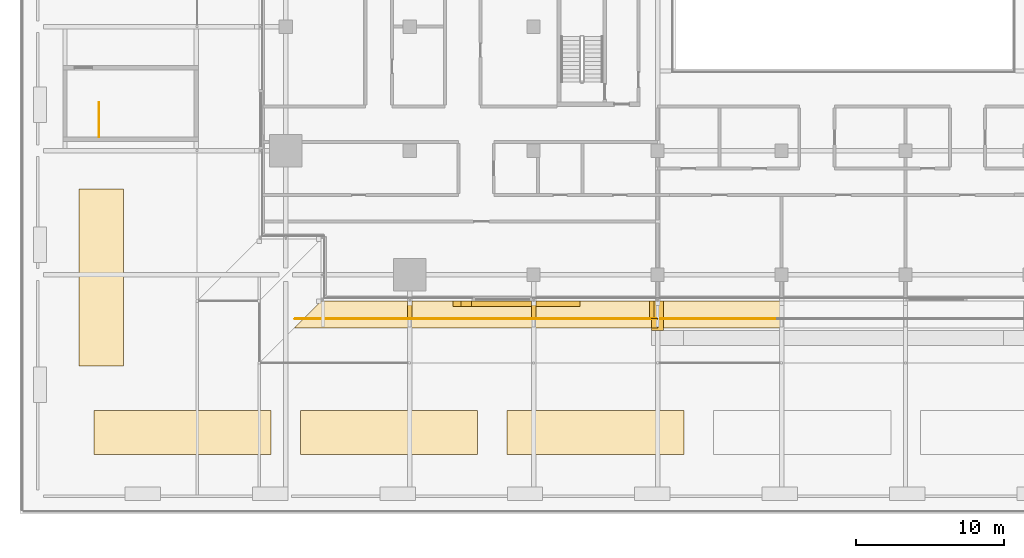
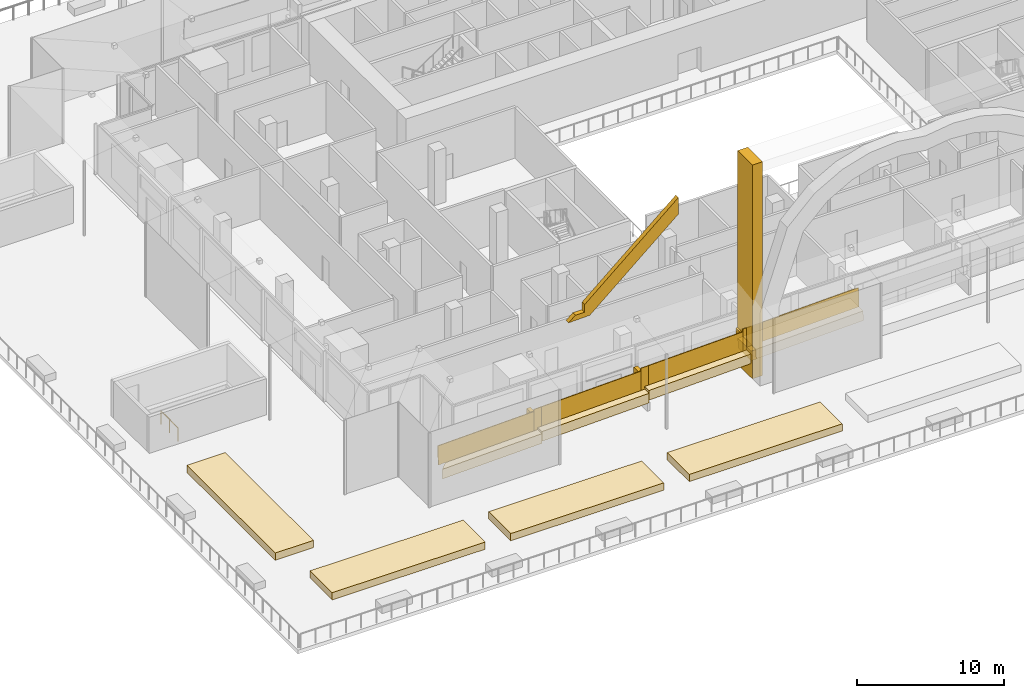
# One storey, part 33 of 60: 14 coverings, 9 railings.
"""IFC4 building model written with IfcOpenShell, lengths in metres."""

import ifcopenshell
import ifcopenshell.guid

model = None  # the IFC model being written
_history = None  # IfcOwnerHistory: only IFC2X3 demands one
_inside = {}  # id of a spatial element -> (the spatial element, [elements in it])
_under = {}  # id of a project, library or spatial element -> (it, [spatial elements below it])
_declared = {}  # id of a project -> (the project, [libraries it declares])
_typed = {}  # id of a type object -> (the type object, [elements of that type])
_made_of = {}  # id of a material, layer set ... -> (it, [elements and type objects made of it])


def new_model(schema):
    """Start an empty IFC model of exactly this schema.

    Asked for "IFC4X3", IfcOpenShell would pick the latest addendum, in which some entities
    have other attributes; the version numbers below select the first issue.
    IFC2X3 requires an IfcOwnerHistory on every rooted entity: one is made here for all.
    """
    global model, _history
    if schema == "IFC4X3":
        model = ifcopenshell.file(schema_version=(4, 3, 0, 0))
    else:
        model = ifcopenshell.file(schema=schema)
    _inside.clear()
    _under.clear()
    _declared.clear()
    _typed.clear()
    _made_of.clear()
    _history = None
    if model.schema == "IFC2X3":
        org = make("IfcOrganization", Name="unknown")
        user = make(
            "IfcPersonAndOrganization",
            ThePerson=make("IfcPerson", FamilyName="unknown"),
            TheOrganization=org,
        )
        app = make(
            "IfcApplication",
            ApplicationDeveloper=org,
            Version="unknown",
            ApplicationFullName="unknown",
            ApplicationIdentifier="unknown",
        )
        _history = make(
            "IfcOwnerHistory",
            OwningUser=user,
            OwningApplication=app,
            ChangeAction="ADDED",
            CreationDate=0,
        )
    return model


def make(cls, **values):
    """One entity of the class cls with the attributes given. An attribute that is None is left unset."""
    return model.create_entity(
        cls, **{name: value for name, value in values.items() if value is not None}
    )


def rooted(cls, **values):
    """An entity with a GlobalId (a new one), such as an element, a storey or a relation."""
    return make(cls, GlobalId=ifcopenshell.guid.new(), OwnerHistory=_history, **values)


def si_unit(unit_type, name, prefix=None):
    """IfcSIUnit, for example si_unit("LENGTHUNIT", "METRE", prefix="MILLI")."""
    return make("IfcSIUnit", UnitType=unit_type, Prefix=prefix, Name=name)


def assignment(units):
    """IfcUnitAssignment: the units of a project."""
    return None if units is None else make("IfcUnitAssignment", Units=units)


def point(xyz):
    """IfcCartesianPoint."""
    return None if xyz is None else make("IfcCartesianPoint", Coordinates=xyz)


def direction(xyz):
    """IfcDirection."""
    return None if xyz is None else make("IfcDirection", DirectionRatios=xyz)


def frame(location, z_axis=None, x_axis=None):
    """IfcAxis2Placement3D, a coordinate frame: its origin and axes. An axis left out is left unset."""
    return make(
        "IfcAxis2Placement3D",
        Location=point(location),
        Axis=direction(z_axis),
        RefDirection=direction(x_axis),
    )


def frame_2d(location, x_axis=None):
    """IfcAxis2Placement2D, a coordinate frame in the plane: its origin and x axis."""
    return make(
        "IfcAxis2Placement2D", Location=point(location), RefDirection=direction(x_axis)
    )


def origin():
    """The frame at (0, 0, 0) with its axes left unset."""
    return frame((0.0, 0.0, 0.0))


def origin_2d():
    """The frame at (0, 0) in the plane with its x axis left unset."""
    return frame_2d((0.0, 0.0))


def place(relative_to, where):
    """IfcLocalPlacement: puts the frame where relative to a parent placement (None: the world)."""
    return make(
        "IfcLocalPlacement", PlacementRelTo=relative_to, RelativePlacement=where
    )


def context(
    kind, dimensions, precision=None, world=None, true_north=None, identifier=None
):
    """IfcGeometricRepresentationContext, for example the 3D "Model" context."""
    return make(
        "IfcGeometricRepresentationContext",
        ContextIdentifier=identifier,
        ContextType=kind,
        CoordinateSpaceDimension=dimensions,
        Precision=precision,
        WorldCoordinateSystem=world,
        TrueNorth=true_north,
    )


def subcontext(parent, identifier, kind, view, scale=None):
    """IfcGeometricRepresentationSubContext, for example "Body" below "Model"."""
    return make(
        "IfcGeometricRepresentationSubContext",
        ContextIdentifier=identifier,
        ContextType=kind,
        ParentContext=parent,
        TargetScale=scale,
        TargetView=view,
    )


def project(units=None, contexts=None):
    """IfcProject with its units and contexts."""
    return rooted(
        "IfcProject",
        Name="project",
        RepresentationContexts=contexts,
        UnitsInContext=assignment(units),
    )


def spatial(cls, under=None, at=None, **own):
    """A site, building, storey or space (cls), placed at a placement, below another one or the project."""
    s = rooted(cls, ObjectPlacement=at, **own)
    if under is not None:
        _under.setdefault(under.id(), (under, []))[1].append(s)
    return s


def polyline(points):
    """IfcPolyline through the points."""
    return make("IfcPolyline", Points=[point(p) for p in points])


def profile(cls, at=None, kind="AREA", **sizes):
    """A parametric profile (cls). Its sizes go by their IFC names, for example OverallWidth=200.0."""
    return make(cls, ProfileType=kind, Position=at, **sizes)


def rectangle(**sizes):
    """IfcRectangleProfileDef."""
    return profile("IfcRectangleProfileDef", **sizes)


def circle(**sizes):
    """IfcCircleProfileDef."""
    return profile("IfcCircleProfileDef", **sizes)


def outline(outer, holes=None, kind="AREA"):
    """IfcArbitraryClosedProfileDef: a profile drawn as a closed curve; with holes, ...WithVoids."""
    if holes is None:
        return make("IfcArbitraryClosedProfileDef", ProfileType=kind, OuterCurve=outer)
    return make(
        "IfcArbitraryProfileDefWithVoids",
        ProfileType=kind,
        OuterCurve=outer,
        InnerCurves=holes,
    )


def extrude(swept, where, along, depth):
    """IfcExtrudedAreaSolid: the profile swept, set in the frame where, extruded along a direction by depth."""
    return make(
        "IfcExtrudedAreaSolid",
        SweptArea=swept,
        Position=where,
        ExtrudedDirection=direction(along),
        Depth=depth,
    )


def shape(context_of_items, identifier, shape_type, items):
    """IfcShapeRepresentation: the items that make up one representation, for example the "Body"."""
    return make(
        "IfcShapeRepresentation",
        ContextOfItems=context_of_items,
        RepresentationIdentifier=identifier,
        RepresentationType=shape_type,
        Items=items,
    )


def material(Name=None, Category=None):
    """IfcMaterial."""
    return make("IfcMaterial", Name=Name, Category=Category)


def layer(
    of_material, thickness, ventilated=None, Name=None, Category=None, Priority=None
):
    """IfcMaterialLayer: one layer of a wall or slab, of a material (None: an air gap)."""
    return make(
        "IfcMaterialLayer",
        Material=of_material,
        LayerThickness=thickness,
        IsVentilated=ventilated,
        Name=Name,
        Category=Category,
        Priority=Priority,
    )


def layer_set(layers, Name=None):
    """IfcMaterialLayerSet."""
    return make("IfcMaterialLayerSet", MaterialLayers=layers, LayerSetName=Name)


def made_of(thing, what):
    """Note that an element or type object is made of a material, layer set ...; save() writes the relation."""
    if what is not None:
        _made_of.setdefault(what.id(), (what, []))[1].append(thing)
    return thing


def type_object(cls, material=None, **own):
    """A type object (cls), such as IfcWallType, which elements share."""
    return made_of(rooted(cls, **own), material)


def element(
    cls,
    number,
    at=None,
    inside=None,
    cuts=None,
    type_object=None,
    material=None,
    context=None,
    identifier="Body",
    shape_type=None,
    held_by="IfcProductDefinitionShape",
    body=None,
    shapes=None,
    **own,
):
    """One element of the class cls, such as IfcWall. Its Tag is "e" and its number.

    at: its placement. inside: the storey or other place that contains it. cuts: it is an
    opening in that element (IfcRelVoidsElement). A single representation is given by context,
    identifier, shape_type and body (its items); several are given by shapes. held_by: the class
    of the entity that holds the representations. save() writes the other relations.
    """
    e = rooted(cls, Tag="e%d" % number, ObjectPlacement=at, **own)
    if body is not None:
        shapes = [shape(context, identifier, shape_type, body)]
    if shapes is not None:
        e.Representation = make(held_by, Representations=shapes)
    if inside is not None:
        _inside.setdefault(inside.id(), (inside, []))[1].append(e)
    if cuts is not None:
        rooted(
            "IfcRelVoidsElement", RelatingBuildingElement=cuts, RelatedOpeningElement=e
        )
    if type_object is not None:
        _typed.setdefault(type_object.id(), (type_object, []))[1].append(e)
    return made_of(e, material)


def aggregate(whole, parts):
    """IfcRelAggregates: a whole, such as a stair, and the parts it consists of."""
    return rooted("IfcRelAggregates", RelatingObject=whole, RelatedObjects=parts)


def save(model, path):
    """Write the relations noted so far, then the file.

    IfcRelAggregates (storeys below a building ...), IfcRelContainedInSpatialStructure (elements
    in a storey), IfcRelDefinesByType, IfcRelAssociatesMaterial and IfcRelDeclares: one each for
    every whole, place, type object, material and project.
    """
    for whole, parts in _under.values():
        aggregate(whole, parts)
    for where, things in _inside.values():
        rooted(
            "IfcRelContainedInSpatialStructure",
            RelatedElements=things,
            RelatingStructure=where,
        )
    for kind, things in _typed.values():
        rooted("IfcRelDefinesByType", RelatedObjects=things, RelatingType=kind)
    for what, things in _made_of.values():
        rooted("IfcRelAssociatesMaterial", RelatedObjects=things, RelatingMaterial=what)
    for by, libraries in _declared.values():
        rooted("IfcRelDeclares", RelatingContext=by, RelatedDefinitions=libraries)
    model.write(path)


model = new_model("IFC4")

# Units and contexts
model_context = context("Model", 3, precision=1e-05, world=origin(), true_north=direction((0.0, 1.0)))
body_context = subcontext(model_context, "Body", "Model", "MODEL_VIEW")
ifc_project = project(units=[si_unit("LENGTHUNIT", "METRE"), si_unit("AREAUNIT", "SQUARE_METRE"), si_unit("VOLUMEUNIT", "CUBIC_METRE"), si_unit("PLANEANGLEUNIT", "RADIAN"), si_unit("MASSUNIT", "GRAM", prefix="KILO")], contexts=[model_context])

# Site, building, storey
site_placement = place(None, origin())
site = spatial("IfcSite", under=ifc_project, at=site_placement, CompositionType="ELEMENT")
building_placement = place(site_placement, origin())
building = spatial("IfcBuilding", under=site, at=building_placement, Name="Saffron Gate Tower", CompositionType="ELEMENT")
storey_placement = place(building_placement, frame((0.0, 0.0, 19.199951171875)))
storey = spatial("IfcBuildingStorey", under=building, at=storey_placement, Name="L03", CompositionType="ELEMENT", Elevation=19.199951171875)

# Railing
ifc_material_1 = material(Name="Stainless steel and laminated glass", Category="steel")
railing_type_1 = type_object("IfcRailingType", Name="CR1 Stair guard 1100", PredefinedType="GUARDRAIL", material=ifc_material_1)
railing_1_placement = place(storey_placement, frame((37.14990234375, 41.125, 0.0)))
element("IfcRailing", 1, at=railing_1_placement, inside=storey, type_object=railing_type_1, Name="L03 ST-H top well guard 1", PredefinedType="GUARDRAIL", context=body_context, shape_type="SweptSolid", body=[
    extrude(circle(Radius=0.02392578125, at=origin_2d()), frame((0.0, 0.0, 1.076171875), z_axis=(0.0, 1.0, 0.0), x_axis=(-1.0, 0.0, 0.0)), (0.0, 0.0, 1.0), 2.35009765625),
    extrude(circle(Radius=0.02099609375, at=origin_2d()), origin(), (0.0, 0.0, 1.0), 1.052001953125),
    extrude(circle(Radius=0.02099609375, at=origin_2d()), frame((0.0, 1.175048828125, 0.0)), (0.0, 0.0, 1.0), 1.052001953125),
    extrude(circle(Radius=0.02099609375, at=origin_2d()), frame((0.0, 2.35009765625, 0.0)), (0.0, 0.0, 1.0), 1.052001953125),
])

# Coverings
ifc_material_2 = material(Name="Ceramic-printed bronze insulated panel")
ifc_layer_1 = layer(ifc_material_2, 0.800048828125)
ifc_layer_set_1 = layer_set([ifc_layer_1], Name="FN1 atrium fin")
covering_type_1 = type_object("IfcCoveringType", Name="FN1 atrium fin", PredefinedType="CLADDING", material=ifc_layer_set_1)
covering_1_placement = place(storey_placement, origin())
element("IfcCovering", 2, at=covering_1_placement, inside=storey, type_object=covering_type_1, Name="CLADDING atrium fin", PredefinedType="CLADDING", context=body_context, shape_type="SweptSolid", body=[
    extrude(outline(polyline([(74.60009765625, 30.0), (75.39990234375, 30.0), (75.39990234375, 28.0), (74.60009765625, 28.0), (74.60009765625, 30.0)])), origin(), (0.0, 0.0, 1.0), 17.719970703125),
])
ifc_material_3 = material(Name="Timber, thermally modified ash", Category="wood")
ifc_layer_2 = layer(ifc_material_3, 0.800048828125)
ifc_layer_set_2 = layer_set([ifc_layer_2], Name="LD1 ledge timber")
covering_type_2 = type_object("IfcCoveringType", Name="LD1 ledge timber", PredefinedType="CLADDING", material=ifc_layer_set_2)
covering_2_placement = place(storey_placement, frame((52.199951171875, 30.0, 0.900146484375), z_axis=(-0.028807146299, -3.5027307e-05, 0.99958498743), x_axis=(0.999584988043, -3.68e-10, 0.028807146316)))
element("IfcCovering", 3, at=covering_2_placement, inside=storey, type_object=covering_type_2, Name="LEDGE", PredefinedType="CLADDING", context=body_context, shape_type="SweptSolid", body=[
    extrude(outline(polyline([(0.0, 0.0), (6.0024892885105, 2.541098841762901e-21), (6.002489289172793, -1.8000488270207489), (-1.800799813548424, -1.8000488321003227), (0.0, 0.0)])), origin(), (0.0, 0.0, -1.0), 0.800048828125),
])
covering_3_placement = place(storey_placement, frame((58.199951171875, 30.0, 1.238037109375), z_axis=(-0.028790339263, 0.0, 0.999585472266), x_axis=(0.999585472266, 0.0, 0.028790339263)))
element("IfcCovering", 4, at=covering_3_placement, inside=storey, type_object=covering_type_2, Name="LEDGE", PredefinedType="CLADDING", context=body_context, shape_type="SweptSolid", body=[
    extrude(outline(polyline([(0.0, 0.0), (8.403630022085892, 0.0), (8.403630022085892, -1.800048828125), (0.0, -1.800048828125), (0.0, 0.0)])), origin(), (0.0, 0.0, -1.0), 0.800048828125),
])
covering_4_placement = place(storey_placement, frame((66.60009765625, 30.0, 1.711181640625), z_axis=(-0.028796646555, 0.0, 0.999585290582), x_axis=(0.999585290582, 0.0, 0.028796646555)))
element("IfcCovering", 5, at=covering_4_placement, inside=storey, type_object=covering_type_2, Name="LEDGE", PredefinedType="CLADDING", context=body_context, shape_type="SweptSolid", body=[
    extrude(outline(polyline([(0.0, 0.0), (8.003319051788862, 0.0), (8.003319051788862, -1.800048828125), (0.0, -1.800048828125), (0.0, 0.0)])), origin(), (0.0, 0.0, -1.0), 0.800048828125),
])
covering_5_placement = place(storey_placement, frame((74.60009765625, 30.0, 2.16162109375), z_axis=(-0.028681724025, 0.0, 0.999588594726), x_axis=(0.999588594726, 0.0, 0.028681724025)))
element("IfcCovering", 6, at=covering_5_placement, inside=storey, type_object=covering_type_2, Name="LEDGE", PredefinedType="CLADDING", context=body_context, shape_type="SweptSolid", body=[
    extrude(outline(polyline([(0.0, 0.0), (0.40006693339621563, 0.0), (0.40006693339621563, -1.8000488281250004), (0.0, -1.8000488281250004), (0.0, 0.0)])), origin(), (0.0, 0.0, -1.0), 0.800048828125),
])
covering_6_placement = place(storey_placement, frame((75.0, 30.0, 2.18408203125), z_axis=(-0.028820203882, 0.0, 0.99958461165), x_axis=(0.99958461165, 0.0, 0.028820203882)))
element("IfcCovering", 7, at=covering_6_placement, inside=storey, type_object=covering_type_2, Name="LEDGE", PredefinedType="CLADDING", context=body_context, shape_type="SweptSolid", body=[
    extrude(outline(polyline([(0.0, 0.0), (8.40339301530596, 0.0), (8.40339301530596, -1.800048828125), (0.0, -1.800048828125), (0.0, 0.0)])), origin(), (0.0, 0.0, -1.0), 0.800048828125),
])
ifc_layer_3 = layer(ifc_material_3, 0.300048828125)
ifc_layer_set_3 = layer_set([ifc_layer_3], Name="LD3 ledge riser fin")
covering_type_3 = type_object("IfcCoveringType", Name="LD3 ledge riser fin", PredefinedType="CLADDING", material=ifc_layer_set_3)
covering_7_placement = place(storey_placement, frame((58.199951171875, 29.43994140625, 0.27294921875), z_axis=(0.0, 0.0, 1.0), x_axis=(1.0, 0.0, 0.0)))
element("IfcCovering", 8, at=covering_7_placement, inside=storey, type_object=covering_type_3, Name="LEDGE riser fin", PredefinedType="CLADDING", context=body_context, shape_type="SweptSolid", body=[
    extrude(rectangle(XDim=0.300048828125, YDim=1.1201171875, at=origin_2d()), origin(), (0.0, 0.0, 1.0), 1.864990234375),
])
covering_8_placement = place(storey_placement, frame((66.60009765625, 29.43994140625, 0.679931640625), z_axis=(0.0, 0.0, 1.0), x_axis=(1.0, 0.0, 0.0)))
element("IfcCovering", 9, at=covering_8_placement, inside=storey, type_object=covering_type_3, Name="LEDGE riser fin", PredefinedType="CLADDING", context=body_context, shape_type="SweptSolid", body=[
    extrude(rectangle(XDim=0.300048828125, YDim=1.1201171875, at=origin_2d()), origin(), (0.0, 0.0, 1.0), 1.93115234375),
])
covering_9_placement = place(storey_placement, frame((74.60009765625, 29.43994140625, 1.1416015625), z_axis=(0.0, 0.0, 1.0), x_axis=(1.0, 0.0, 0.0)))
element("IfcCovering", 10, at=covering_9_placement, inside=storey, type_object=covering_type_3, Name="LEDGE riser fin", PredefinedType="CLADDING", context=body_context, shape_type="SweptSolid", body=[
    extrude(rectangle(XDim=0.300048828125, YDim=1.1201171875, at=origin_2d()), origin(), (0.0, 0.0, 1.0), 1.920166015625),
])

# Railings
railing_type_2 = type_object("IfcRailingType", Name="LG1 ledge balustrade", PredefinedType="BALUSTRADE", material=ifc_material_3)
railing_2_placement = place(storey_placement, frame((50.39990234375, 28.800048828125, 0.84814453125)))
element("IfcRailing", 11, at=railing_2_placement, inside=storey, type_object=railing_type_2, Name="LEDGE BALUSTRADE", PredefinedType="BALUSTRADE", context=body_context, shape_type="SweptSolid", body=[
    extrude(rectangle(XDim=0.06005859375, YDim=1.60009765625, at=origin_2d()), frame((0.0, 0.0, 0.800048828125), z_axis=(0.999584755248, 0.0, 0.028815222999), x_axis=(0.0, 1.0, 0.0)), (0.0, 0.0, 1.0), 7.80322265625),
])
railing_3_placement = place(storey_placement, frame((58.199951171875, 28.800048828125, 1.238037109375)))
element("IfcRailing", 12, at=railing_3_placement, inside=storey, type_object=railing_type_2, Name="LEDGE BALUSTRADE", PredefinedType="BALUSTRADE", context=body_context, shape_type="SweptSolid", body=[
    extrude(rectangle(XDim=0.06005859375, YDim=1.60009765625, at=origin_2d()), frame((0.0, 0.0, 0.800048828125), z_axis=(0.999585472266, 0.0, 0.028790339263), x_axis=(0.0, 1.0, 0.0)), (0.0, 0.0, 1.0), 8.403564453125),
])
railing_4_placement = place(storey_placement, frame((57.89990234375, 28.800048828125, 1.072998046875)))
element("IfcRailing", 13, at=railing_4_placement, inside=storey, type_object=railing_type_2, Name="LEDGE BALUSTRADE", PredefinedType="BALUSTRADE", context=body_context, shape_type="SweptSolid", body=[
    extrude(rectangle(XDim=0.06005859375, YDim=1.76513671875, at=origin_2d()), frame((0.0, 0.0, 0.882568359375), z_axis=(1.0, 0.0, 0.0), x_axis=(0.0, 1.0, 0.0)), (0.0, 0.0, 1.0), 0.60009765625),
])
railing_5_placement = place(storey_placement, frame((66.60009765625, 28.800048828125, 1.711181640625)))
element("IfcRailing", 14, at=railing_5_placement, inside=storey, type_object=railing_type_2, Name="LEDGE BALUSTRADE", PredefinedType="BALUSTRADE", context=body_context, shape_type="SweptSolid", body=[
    extrude(rectangle(XDim=0.06005859375, YDim=1.60009765625, at=origin_2d()), frame((0.0, 0.0, 0.800048828125), z_axis=(0.999585290582, 0.0, 0.028796646555), x_axis=(0.0, 1.0, 0.0)), (0.0, 0.0, 1.0), 8.00341796875),
])
railing_6_placement = place(storey_placement, frame((66.300048828125, 28.800048828125, 1.47998046875)))
element("IfcRailing", 15, at=railing_6_placement, inside=storey, type_object=railing_type_2, Name="LEDGE BALUSTRADE", PredefinedType="BALUSTRADE", context=body_context, shape_type="SweptSolid", body=[
    extrude(rectangle(XDim=0.06005859375, YDim=1.8310546875, at=origin_2d()), frame((0.0, 0.0, 0.91552734375), z_axis=(1.0, 0.0, 0.0), x_axis=(0.0, 1.0, 0.0)), (0.0, 0.0, 1.0), 0.599853515625),
])
railing_7_placement = place(storey_placement, frame((74.60009765625, 28.800048828125, 2.16162109375)))
element("IfcRailing", 16, at=railing_7_placement, inside=storey, type_object=railing_type_2, Name="LEDGE BALUSTRADE", PredefinedType="BALUSTRADE", context=body_context, shape_type="SweptSolid", body=[
    extrude(rectangle(XDim=0.06005859375, YDim=1.60009765625, at=origin_2d()), frame((0.0, 0.0, 0.800048828125), z_axis=(0.999588594726, 0.0, 0.028681724025), x_axis=(0.0, 1.0, 0.0)), (0.0, 0.0, 1.0), 0.400146484375),
])
railing_8_placement = place(storey_placement, frame((74.300048828125, 28.800048828125, 1.941650390625)))
element("IfcRailing", 17, at=railing_8_placement, inside=storey, type_object=railing_type_2, Name="LEDGE BALUSTRADE", PredefinedType="BALUSTRADE", context=body_context, shape_type="SweptSolid", body=[
    extrude(rectangle(XDim=0.06005859375, YDim=1.820068359375, at=origin_2d()), frame((0.0, 0.0, 0.91015625), z_axis=(1.0, 0.0, 0.0), x_axis=(0.0, 1.0, 0.0)), (0.0, 0.0, 1.0), 0.599853515625),
])
railing_9_placement = place(storey_placement, frame((75.0, 28.800048828125, 2.18408203125)))
element("IfcRailing", 18, at=railing_9_placement, inside=storey, type_object=railing_type_2, Name="LEDGE BALUSTRADE", PredefinedType="BALUSTRADE", context=body_context, shape_type="SweptSolid", body=[
    extrude(rectangle(XDim=0.06005859375, YDim=1.60009765625, at=origin_2d()), frame((0.0, 0.0, 0.800048828125), z_axis=(0.99958461165, 0.0, 0.028820203882), x_axis=(0.0, 1.0, 0.0)), (0.0, 0.0, 1.0), 8.4033203125),
])

# Coverings
ifc_layer_4 = layer(ifc_material_2, 0.35009765625)
ifc_layer_set_4 = layer_set([ifc_layer_4], Name="LZ1 lozenge lattice bar 1600")
covering_type_4 = type_object("IfcCoveringType", Name="LZ1 lozenge lattice bar 1600", PredefinedType="CLADDING", material=ifc_layer_set_4)
covering_10_placement = place(storey_placement, frame((61.143798828125, 29.64990234375, 8.351806640625), z_axis=(0.0, -1.0, 0.0), x_axis=(0.999586778905, 0.0, 0.028744937603)))
element("IfcCovering", 19, at=covering_10_placement, inside=storey, type_object=covering_type_4, Name="CLADDING lozenge lattice bar", PredefinedType="CLADDING", context=body_context, shape_type="SweptSolid", body=[
    extrude(outline(polyline([(0.0, 0.0), (1.6562019557102479, 0.0), (8.775268925378432, 5.755504832047174), (8.814687947477195, 7.126276056927752), (1.2865400139733347, 1.0403526801228584), (1.268469160865926, 0.41195034719291546), (0.5356178188120934, 0.43302482171002166), (0.0, 0.0)])), origin(), (0.0, 0.0, -1.0), 0.35009765625),
])
ifc_material_4 = material(Name="Planted soil bed in timber kerb", Category="wood")
ifc_layer_5 = layer(ifc_material_4, 0.60009765625)
ifc_layer_set_5 = layer_set([ifc_layer_5], Name="PL2 planted bed")
covering_type_5 = type_object("IfcCoveringType", Name="PL2 planted bed", PredefinedType="CLADDING", material=ifc_layer_set_5)
covering_11_placement = place(storey_placement, origin())
element("IfcCovering", 20, at=covering_11_placement, inside=storey, type_object=covering_type_5, Name="PLANTED BED play deck", PredefinedType="CLADDING", context=body_context, shape_type="SweptSolid", body=[
    extrude(outline(polyline([(36.800048828125, 19.60009765625), (48.800048828125, 19.60009765625), (48.800048828125, 22.60009765625), (36.800048828125, 22.60009765625), (36.800048828125, 19.60009765625)])), origin(), (0.0, 0.0, 1.0), 0.60009765625),
])
covering_12_placement = place(storey_placement, origin())
element("IfcCovering", 21, at=covering_12_placement, inside=storey, type_object=covering_type_5, Name="PLANTED BED play deck", PredefinedType="CLADDING", context=body_context, shape_type="SweptSolid", body=[
    extrude(outline(polyline([(50.800048828125, 19.60009765625), (62.800048828125, 19.60009765625), (62.800048828125, 22.60009765625), (50.800048828125, 22.60009765625), (50.800048828125, 19.60009765625)])), origin(), (0.0, 0.0, 1.0), 0.60009765625),
])
covering_13_placement = place(storey_placement, origin())
element("IfcCovering", 22, at=covering_13_placement, inside=storey, type_object=covering_type_5, Name="PLANTED BED play deck", PredefinedType="CLADDING", context=body_context, shape_type="SweptSolid", body=[
    extrude(outline(polyline([(64.800048828125, 19.60009765625), (76.800048828125, 19.60009765625), (76.800048828125, 22.60009765625), (64.800048828125, 22.60009765625), (64.800048828125, 19.60009765625)])), origin(), (0.0, 0.0, 1.0), 0.60009765625),
])
covering_14_placement = place(storey_placement, origin())
element("IfcCovering", 23, at=covering_14_placement, inside=storey, type_object=covering_type_5, Name="PLANTED BED play deck", PredefinedType="CLADDING", context=body_context, shape_type="SweptSolid", body=[
    extrude(outline(polyline([(35.800048828125, 25.60009765625), (38.800048828125, 25.60009765625), (38.800048828125, 37.60009765625), (35.800048828125, 37.60009765625), (35.800048828125, 25.60009765625)])), origin(), (0.0, 0.0, 1.0), 0.60009765625),
])

save(model, "model.ifc")
